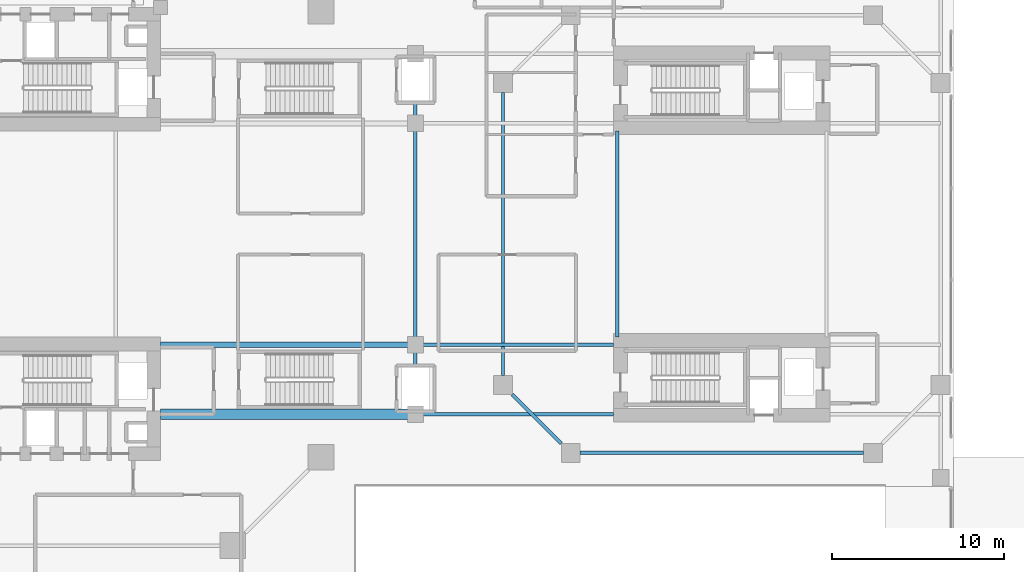
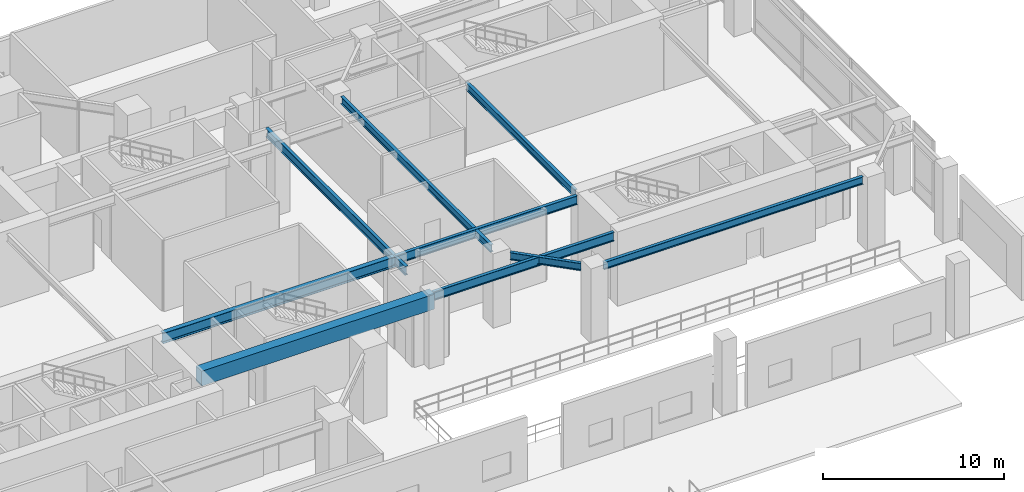
# One storey, part 3 of 18: 9 beams.
"""IFC4 building model written with IfcOpenShell, lengths in metres."""

from ifc_helpers import new_model, si_unit, direction, frame, origin, origin_2d, place, context, subcontext, project, spatial, rectangle, i_section, extrude, source, transform, mapped, material, material_profile, profile_set, type_object, element, save


model = new_model("IFC4")

# Units and contexts
model_context = context("Model", 3, precision=1e-05, world=origin(), true_north=direction((0.0, 1.0)))
body_context = subcontext(model_context, "Body", "Model", "MODEL_VIEW")
ifc_project = project(units=[si_unit("LENGTHUNIT", "METRE"), si_unit("AREAUNIT", "SQUARE_METRE"), si_unit("VOLUMEUNIT", "CUBIC_METRE"), si_unit("PLANEANGLEUNIT", "RADIAN"), si_unit("MASSUNIT", "GRAM", prefix="KILO"), si_unit("THERMODYNAMICTEMPERATUREUNIT", "KELVIN"), si_unit("POWERUNIT", "WATT")], contexts=[model_context])

# Site, building, storey
site_placement = place(None, origin())
site = spatial("IfcSite", under=ifc_project, at=site_placement, CompositionType="ELEMENT")
building_placement = place(site_placement, origin())
building = spatial("IfcBuilding", under=site, at=building_placement, Name="Qiaomeng Ring Towers", CompositionType="ELEMENT")
storey_placement = place(building_placement, origin())
storey = spatial("IfcBuildingStorey", under=building, at=storey_placement, Name="L00", CompositionType="ELEMENT", Elevation=0.0)

# Beams
ifc_material_1 = material(Name="Concrete C60", Category="concrete")
ifc_material_profile_1 = material_profile(ifc_material_1, rectangle(XDim=0.60009765625, YDim=1.0, at=origin_2d()), Name="RC BM 600x1000")
ifc_profile_set_1 = profile_set([ifc_material_profile_1], Name="Concrete C60")
beam_type_1 = type_object("IfcBeamType", Name="STR-BM-RC1000", PredefinedType="LINTEL", material=ifc_profile_set_1)
shared_shape_1 = source(origin(), body_context, "Body", "SweptSolid", [
    extrude(rectangle(XDim=0.60009765625, YDim=1.0, at=origin_2d()), origin(), (0.0, 0.0, 1.0), 14.849853515625),
])
beam_1_placement = place(storey_placement, frame((27.800048828125, 12.5, 4.280029296875), z_axis=(1.0, 0.0, 0.0), x_axis=(0.0, 1.0, 0.0)))
element("IfcBeam", 1, at=beam_1_placement, inside=storey, type_object=beam_type_1, Name="L00 beam STR-CB-L00-T1S", PredefinedType="LINTEL", context=body_context, shape_type="MappedRepresentation", body=[
    mapped(shared_shape_1, transform((0.0, 0.0, 0.0), x_axis=(1.0, 0.0, 0.0), y_axis=(0.0, 1.0, 0.0), z_axis=(0.0, 0.0, 1.0), scale=1.0)),
])
ifc_material_2 = material(Name="Steel Q355B", Category="steel")
ifc_material_profile_2 = material_profile(ifc_material_2, i_section(OverallWidth=0.199951171875, OverallDepth=0.5, WebThickness=0.010009765625, FlangeThickness=0.01611328125, FilletRadius=0.02001953125, at=origin_2d()), Name="HN 500x200x10x16")
ifc_profile_set_2 = profile_set([ifc_material_profile_2], Name="Steel Q355B")
beam_type_2 = type_object("IfcBeamType", Name="STR-BM-HN500", PredefinedType="BEAM", material=ifc_profile_set_2)
shared_shape_2 = source(origin(), body_context, "Body", "SweptSolid", [
    extrude(i_section(OverallWidth=0.199951171875, OverallDepth=0.5, WebThickness=0.010009765625, FlangeThickness=0.01611328125, FilletRadius=0.02001953125, at=origin_2d()), origin(), (0.0, 0.0, 1.0), 4.032470703125),
])
beam_2_placement = place(storey_placement, frame((48.29931640625, 13.650634765625, 4.530029296875), z_axis=(0.707106781187, -0.707106781187, 0.0), x_axis=(0.707106781187, 0.707106781187, 0.0)))
element("IfcBeam", 2, at=beam_2_placement, inside=storey, type_object=beam_type_2, Name="L00 beam STR-SP-L00-T2-0", PredefinedType="BEAM", context=body_context, shape_type="MappedRepresentation", body=[
    mapped(shared_shape_2, transform((0.0, 0.0, 0.0), x_axis=(1.0, 0.0, 0.0), y_axis=(0.0, 1.0, 0.0), z_axis=(0.0, 0.0, 1.0), scale=1.0)),
])
shared_shape_3 = source(origin(), body_context, "Body", "SweptSolid", [
    extrude(i_section(OverallWidth=0.199951171875, OverallDepth=0.5, WebThickness=0.010009765625, FlangeThickness=0.01611328125, FilletRadius=0.02001953125, at=origin_2d()), origin(), (0.0, 0.0, 1.0), 16.501953125),
])
for number, where, z_axis, x_axis, name in (
    (3, (52.2490234375, 10.25, 4.530029296875), (1.0, 0.0, 0.0), (0.0, 1.0, 0.0), "L00 beam STR-SP-L00-T2-1"),
    (4, (47.75, 14.7490234375, 4.530029296875), (0.0, 1.0, 0.0), (-1.0, 0.0, 0.0), "L00 beam STR-SP-L00-T2-7"),
):
    element("IfcBeam", number, at=place(storey_placement, frame(where, z_axis=z_axis, x_axis=x_axis)), inside=storey, type_object=beam_type_2, Name=name, PredefinedType="BEAM", context=body_context, shape_type="MappedRepresentation", body=[
        mapped(shared_shape_3, transform((0.0, 0.0, 0.0), x_axis=(1.0, 0.0, 0.0), y_axis=(0.0, 1.0, 0.0), z_axis=(0.0, 0.0, 1.0), scale=1.0)),
    ])
ifc_material_profile_3 = material_profile(ifc_material_2, i_section(OverallWidth=0.199951171875, OverallDepth=0.60009765625, WebThickness=0.010986328125, FlangeThickness=0.01708984375, FilletRadius=0.02197265625, at=origin_2d()), Name="HN 600x200x11x17")
ifc_profile_set_3 = profile_set([ifc_material_profile_3], Name="Steel Q355B")
beam_type_3 = type_object("IfcBeamType", Name="STR-BM-HN600", PredefinedType="BEAM", material=ifc_profile_set_3)
shared_shape_4 = source(origin(), body_context, "Body", "SweptSolid", [
    extrude(i_section(OverallWidth=0.199951171875, OverallDepth=0.60009765625, WebThickness=0.010986328125, FlangeThickness=0.01708984375, FilletRadius=0.02197265625, at=origin_2d()), origin(), (0.0, 0.0, 1.0), 15.39990234375),
])
beam_3_placement = place(storey_placement, frame((42.64990234375, 15.300048828125, 4.47998046875), z_axis=(0.0, 1.0, 0.0), x_axis=(-1.0, 0.0, 0.0)))
element("IfcBeam", 5, at=beam_3_placement, inside=storey, type_object=beam_type_3, Name="L00 beam STR-BM-L00-THROAT-N", PredefinedType="BEAM", context=body_context, shape_type="MappedRepresentation", body=[
    mapped(shared_shape_4, transform((0.0, 0.0, 0.0), x_axis=(1.0, 0.0, 0.0), y_axis=(0.0, 1.0, 0.0), z_axis=(0.0, 0.0, 1.0), scale=1.0)),
])
shared_shape_5 = source(origin(), body_context, "Body", "SweptSolid", [
    extrude(i_section(OverallWidth=0.199951171875, OverallDepth=0.60009765625, WebThickness=0.010986328125, FlangeThickness=0.01708984375, FilletRadius=0.02197265625, at=origin_2d()), origin(), (0.0, 0.0, 1.0), 11.550048828125),
])
for number, where, z_axis, x_axis, name in (
    (6, (42.64990234375, 12.5, 4.47998046875), (1.0, 0.0, 0.0), (0.0, 1.0, 0.0), "L00 beam STR-BM-L00-M2-0"),
    (7, (42.64990234375, 16.550048828125, 4.47998046875), (1.0, 0.0, 0.0), (0.0, 1.0, 0.0), "L00 beam STR-BM-L00-M2-1"),
):
    element("IfcBeam", number, at=place(storey_placement, frame(where, z_axis=z_axis, x_axis=x_axis)), inside=storey, type_object=beam_type_3, Name=name, PredefinedType="BEAM", context=body_context, shape_type="MappedRepresentation", body=[
        mapped(shared_shape_5, transform((0.0, 0.0, 0.0), x_axis=(1.0, 0.0, 0.0), y_axis=(0.0, 1.0, 0.0), z_axis=(0.0, 0.0, 1.0), scale=1.0)),
    ])
ifc_material_profile_4 = material_profile(ifc_material_2, i_section(OverallWidth=0.300048828125, OverallDepth=0.699951171875, WebThickness=0.012939453125, FlangeThickness=0.02392578125, FilletRadius=0.02392578125, at=origin_2d()), Name="HN 700x300x13x24")
ifc_profile_set_4 = profile_set([ifc_material_profile_4], Name="Steel Q355B")
beam_type_4 = type_object("IfcBeamType", Name="STR-BM-HN700", PredefinedType="BEAM", material=ifc_profile_set_4)
shared_shape_6 = source(origin(), body_context, "Body", "SweptSolid", [
    extrude(i_section(OverallWidth=0.300048828125, OverallDepth=0.699951171875, WebThickness=0.012939453125, FlangeThickness=0.02392578125, FilletRadius=0.02392578125, at=origin_2d()), origin(), (0.0, 0.0, 1.0), 14.849853515625),
])
beam_4_placement = place(storey_placement, frame((27.800048828125, 16.550048828125, 4.429931640625), z_axis=(1.0, 0.0, 0.0), x_axis=(0.0, 1.0, 0.0)))
element("IfcBeam", 8, at=beam_4_placement, inside=storey, type_object=beam_type_4, Name="L00 beam STR-BM-L00-M1-1", PredefinedType="BEAM", context=body_context, shape_type="MappedRepresentation", body=[
    mapped(shared_shape_6, transform((0.0, 0.0, 0.0), x_axis=(1.0, 0.0, 0.0), y_axis=(0.0, 1.0, 0.0), z_axis=(0.0, 0.0, 1.0), scale=1.0)),
])
shared_shape_7 = source(origin(), body_context, "Body", "SweptSolid", [
    extrude(i_section(OverallWidth=0.199951171875, OverallDepth=0.5, WebThickness=0.010009765625, FlangeThickness=0.01611328125, FilletRadius=0.02001953125, at=origin_2d()), origin(), (0.0, 0.0, 1.0), 12.0),
])
beam_5_placement = place(storey_placement, frame((54.39990234375, 17.0, 4.530029296875), z_axis=(0.0, 1.0, 0.0), x_axis=(-1.0, 0.0, 0.0)))
element("IfcBeam", 9, at=beam_5_placement, inside=storey, type_object=beam_type_2, Name="L00 beam STR-BM-L00-AT2-W", PredefinedType="BEAM", context=body_context, shape_type="MappedRepresentation", body=[
    mapped(shared_shape_7, transform((0.0, 0.0, 0.0), x_axis=(1.0, 0.0, 0.0), y_axis=(0.0, 1.0, 0.0), z_axis=(0.0, 0.0, 1.0), scale=1.0)),
])

save(model, "model.ifc")
